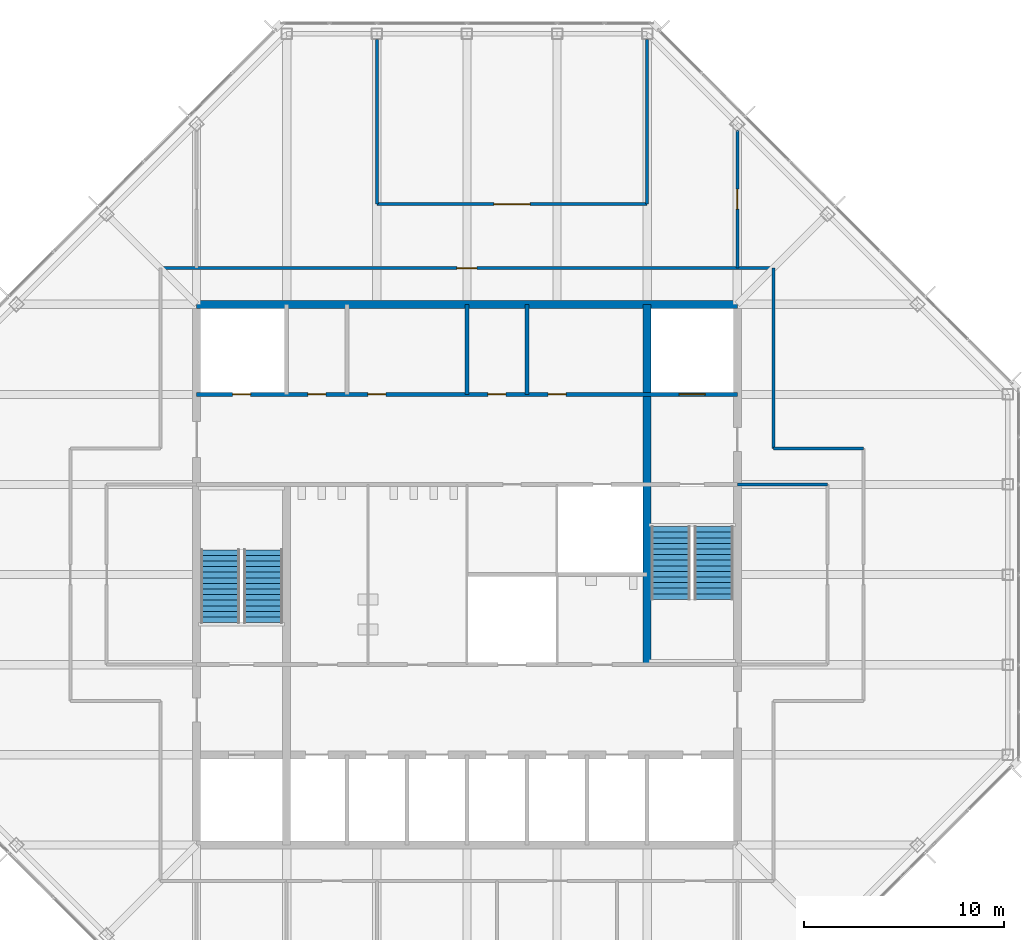
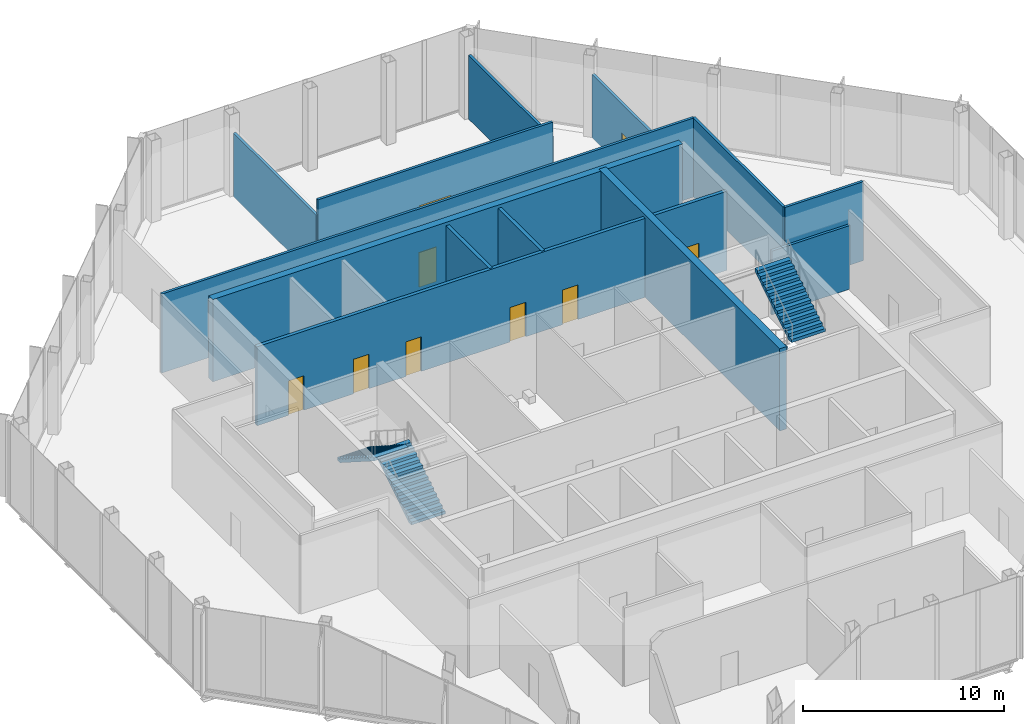
# One storey, part 9 of 11: 13 walls, 9 doors, 4 stair flights, 9 openings, 2 elements without a shape of their own.
"""IFC4 building model written with IfcOpenShell, lengths in metres."""

from ifc_helpers import new_model, si_unit, direction, frame, frame_2d, origin, place, context, subcontext, project, spatial, polyline, rectangle, outline, extrude, material, layer, layer_set, type_object, element, fill, aggregate, save


model = new_model("IFC4")

# Units and contexts
model_context = context("Model", 3, precision=1e-05, world=origin(), true_north=direction((0.0, 1.0)))
body_context = subcontext(model_context, "Body", "Model", "MODEL_VIEW")
ifc_project = project(units=[si_unit("LENGTHUNIT", "METRE"), si_unit("AREAUNIT", "SQUARE_METRE"), si_unit("VOLUMEUNIT", "CUBIC_METRE"), si_unit("PLANEANGLEUNIT", "RADIAN"), si_unit("MASSUNIT", "GRAM", prefix="KILO")], contexts=[model_context])

# Site, building, storey
site_placement = place(None, origin())
site = spatial("IfcSite", under=ifc_project, at=site_placement, CompositionType="ELEMENT")
building_placement = place(site_placement, origin())
building = spatial("IfcBuilding", under=site, at=building_placement, Name="Corais Broadcast Tower", CompositionType="ELEMENT")
storey_placement = place(building_placement, frame((0.0, 0.0, 315.10009765625)))
storey = spatial("IfcBuildingStorey", under=building, at=storey_placement, Name="L74", CompositionType="ELEMENT", Elevation=315.10009765625)

# Walls
ifc_material_1 = material(Name="Concrete C50/60", Category="concrete")
ifc_layer_1 = layer(ifc_material_1, 0.39990234375)
ifc_layer_set_1 = layer_set([ifc_layer_1], Name="Concrete C50/60")
wall_type_1 = type_object("IfcWallType", Name="Core wall 400", PredefinedType="SHEAR", material=ifc_layer_set_1)
wall_1_placement = place(storey_placement, frame((40.5, 40.5, 0.0), z_axis=(0.0, 0.0, 1.0), x_axis=(-1.0, 0.0, 0.0)))
element("IfcWall", 1, at=wall_1_placement, inside=storey, type_object=wall_type_1, Name="CR400 core wall N L74", PredefinedType="SHEAR", context=body_context, shape_type="SweptSolid", body=[
    extrude(rectangle(XDim=27.0, YDim=0.39990234375, at=frame_2d((13.5, 0.0))), origin(), (0.0, 0.0, 1.0), 5.0),
])
wall_2_placement = place(storey_placement, frame((36.0, 22.5, 0.0), z_axis=(0.0, 0.0, 1.0), x_axis=(0.0, 1.0, 0.0)))
element("IfcWall", 2, at=wall_2_placement, inside=storey, type_object=wall_type_1, Name="CR400 core wall X36B L74", PredefinedType="SHEAR", context=body_context, shape_type="SweptSolid", body=[
    extrude(rectangle(XDim=18.0, YDim=0.39990234375, at=frame_2d((9.0, 0.0))), origin(), (0.0, 0.0, 1.0), 5.0),
])

# Wall, openings, doors
ifc_material_2 = material(Name="Concrete blockwork class A, grouted, four-hour", Category="masonry")
ifc_layer_2 = layer(ifc_material_2, 0.199951171875)
ifc_layer_set_2 = layer_set([ifc_layer_2], Name="Concrete blockwork class A, grouted, four-hour")
wall_type_2 = type_object("IfcWallType", Name="Emergency lift shaft wall 200", PredefinedType="SOLIDWALL", material=ifc_layer_set_2)
wall_3_placement = place(storey_placement, frame((13.5, 36.0, 0.0), z_axis=(0.0, 0.0, 1.0), x_axis=(1.0, 0.0, 0.0)))
wall_3 = element("IfcWall", 3, at=wall_3_placement, inside=storey, type_object=wall_type_2, Name="LS3 core lobby wall Y36 L74", PredefinedType="SOLIDWALL", context=body_context, shape_type="SweptSolid", body=[
    extrude(rectangle(XDim=27.0, YDim=0.199951171875, at=frame_2d((13.5, 0.0))), origin(), (0.0, 0.0, 1.0), 4.7998046875),
])
opening_1_placement = place(wall_3_placement, frame((1.800048828125, 0.0, 0.0)))
opening_1 = element("IfcOpeningElement", 4, at=opening_1_placement, cuts=wall_3, Name="Opening RD1", PredefinedType="OPENING", context=body_context, shape_type="SweptSolid", body=[
    extrude(rectangle(XDim=0.89990234375, YDim=2.10009765625, at=frame_2d((0.449951171875, 1.050048828125))), frame((0.0, 0.10986328125, 0.0), z_axis=(0.0, -1.0, 0.0), x_axis=(1.0, 0.0, 0.0)), (0.0, 0.0, 1.0), 0.219970703125),
])
opening_2_placement = place(wall_3_placement, frame((5.550048828125, 0.0, 0.0)))
opening_2 = element("IfcOpeningElement", 5, at=opening_2_placement, cuts=wall_3, Name="Opening RD1", PredefinedType="OPENING", context=body_context, shape_type="SweptSolid", body=[
    extrude(rectangle(XDim=0.89990234375, YDim=2.10009765625, at=frame_2d((0.449951171875, 1.050048828125))), frame((0.0, 0.10986328125, 0.0), z_axis=(0.0, -1.0, 0.0), x_axis=(1.0, 0.0, 0.0)), (0.0, 0.0, 1.0), 0.219970703125),
])
opening_3_placement = place(wall_3_placement, frame((8.550048828125, 0.0, 0.0)))
opening_3 = element("IfcOpeningElement", 6, at=opening_3_placement, cuts=wall_3, Name="Opening RD1", PredefinedType="OPENING", context=body_context, shape_type="SweptSolid", body=[
    extrude(rectangle(XDim=0.89990234375, YDim=2.10009765625, at=frame_2d((0.449951171875, 1.050048828125))), frame((0.0, 0.10986328125, 0.0), z_axis=(0.0, -1.0, 0.0), x_axis=(1.0, 0.0, 0.0)), (0.0, 0.0, 1.0), 0.219970703125),
])
opening_4_placement = place(wall_3_placement, frame((14.550048828125, 0.0, 0.0)))
opening_4 = element("IfcOpeningElement", 7, at=opening_4_placement, cuts=wall_3, Name="Opening RD1", PredefinedType="OPENING", context=body_context, shape_type="SweptSolid", body=[
    extrude(rectangle(XDim=0.89990234375, YDim=2.10009765625, at=frame_2d((0.449951171875, 1.050048828125))), frame((0.0, 0.10986328125, 0.0), z_axis=(0.0, -1.0, 0.0), x_axis=(1.0, 0.0, 0.0)), (0.0, 0.0, 1.0), 0.219970703125),
])
opening_5_placement = place(wall_3_placement, frame((17.550048828125, 0.0, 0.0)))
opening_5 = element("IfcOpeningElement", 8, at=opening_5_placement, cuts=wall_3, Name="Opening RD1", PredefinedType="OPENING", context=body_context, shape_type="SweptSolid", body=[
    extrude(rectangle(XDim=0.89990234375, YDim=2.10009765625, at=frame_2d((0.449951171875, 1.050048828125))), frame((0.0, 0.10986328125, 0.0), z_axis=(0.0, -1.0, 0.0), x_axis=(1.0, 0.0, 0.0)), (0.0, 0.0, 1.0), 0.219970703125),
])
opening_6_placement = place(wall_3_placement, frame((24.10009765625, 0.0, 0.0)))
opening_6 = element("IfcOpeningElement", 9, at=opening_6_placement, cuts=wall_3, Name="Opening LD2", PredefinedType="OPENING", context=body_context, shape_type="SweptSolid", body=[
    extrude(rectangle(XDim=1.300048828125, YDim=2.199951171875, at=frame_2d((0.64990234375, 1.10009765625))), frame((0.0, 0.10986328125, 0.0), z_axis=(0.0, -1.0, 0.0), x_axis=(1.0, 0.0, 0.0)), (0.0, 0.0, 1.0), 0.219970703125),
])
ifc_material_3 = material(Name="Stainless steel lift door", Category="steel")
door_type_1 = type_object("IfcDoorType", Name="Lift landing door 1300x2200", OperationType="SLIDING_TO_LEFT", PredefinedType="DOOR", material=ifc_material_3)
door_1_placement = place(opening_6_placement, origin())
door_1 = element("IfcDoor", 10, at=door_1_placement, inside=storey, type_object=door_type_1, Name="LD2 FL2 landing door L74", OperationType="SLIDING_TO_LEFT", OverallHeight=2.199951171875, OverallWidth=1.300048828125, PredefinedType="DOOR", context=body_context, shape_type="SweptSolid", body=[
    extrude(rectangle(XDim=1.300048828125, YDim=2.199951171875, at=frame_2d((0.64990234375, 1.10009765625))), frame((0.0, 0.02490234375, 0.0), z_axis=(0.0, -1.0, 0.0), x_axis=(1.0, 0.0, 0.0)), (0.0, 0.0, 1.0), 0.050048828125),
])
fill(opening_6, door_1)
ifc_material_4 = material(Name="Steel fire door", Category="steel")
door_type_2 = type_object("IfcDoorType", Name="Riser door 900x2100", OperationType="SINGLE_SWING_LEFT", PredefinedType="DOOR", material=ifc_material_4)
door_2_placement = place(opening_1_placement, origin())
door_2 = element("IfcDoor", 11, at=door_2_placement, inside=storey, type_object=door_type_2, Name="RD1 riser door L74", OperationType="SINGLE_SWING_LEFT", OverallHeight=2.10009765625, OverallWidth=0.89990234375, PredefinedType="DOOR", context=body_context, shape_type="SweptSolid", body=[
    extrude(rectangle(XDim=0.89990234375, YDim=2.10009765625, at=frame_2d((0.449951171875, 1.050048828125))), frame((0.0, 0.02490234375, 0.0), z_axis=(0.0, -1.0, 0.0), x_axis=(1.0, 0.0, 0.0)), (0.0, 0.0, 1.0), 0.050048828125),
])
fill(opening_1, door_2)
door_3_placement = place(opening_2_placement, origin())
door_3 = element("IfcDoor", 12, at=door_3_placement, inside=storey, type_object=door_type_2, Name="RD1 stationery store door L74", OperationType="SINGLE_SWING_LEFT", OverallHeight=2.10009765625, OverallWidth=0.89990234375, PredefinedType="DOOR", context=body_context, shape_type="SweptSolid", body=[
    extrude(rectangle(XDim=0.89990234375, YDim=2.10009765625, at=frame_2d((0.449951171875, 1.050048828125))), frame((0.0, 0.02490234375, 0.0), z_axis=(0.0, -1.0, 0.0), x_axis=(1.0, 0.0, 0.0)), (0.0, 0.0, 1.0), 0.050048828125),
])
fill(opening_2, door_3)
door_4_placement = place(opening_3_placement, origin())
door_4 = element("IfcDoor", 13, at=door_4_placement, inside=storey, type_object=door_type_2, Name="RD1 av equipment room door L74", OperationType="SINGLE_SWING_LEFT", OverallHeight=2.10009765625, OverallWidth=0.89990234375, PredefinedType="DOOR", context=body_context, shape_type="SweptSolid", body=[
    extrude(rectangle(XDim=0.89990234375, YDim=2.10009765625, at=frame_2d((0.449951171875, 1.050048828125))), frame((0.0, 0.02490234375, 0.0), z_axis=(0.0, -1.0, 0.0), x_axis=(1.0, 0.0, 0.0)), (0.0, 0.0, 1.0), 0.050048828125),
])
fill(opening_3, door_4)
door_5_placement = place(opening_4_placement, origin())
door_5 = element("IfcDoor", 14, at=door_5_placement, inside=storey, type_object=door_type_2, Name="RD1 media store door L74", OperationType="SINGLE_SWING_RIGHT", OverallHeight=2.10009765625, OverallWidth=0.89990234375, PredefinedType="DOOR", context=body_context, shape_type="SweptSolid", body=[
    extrude(rectangle(XDim=0.89990234375, YDim=2.10009765625, at=frame_2d((0.449951171875, 1.050048828125))), frame((0.0, 0.02490234375, 0.0), z_axis=(0.0, -1.0, 0.0), x_axis=(1.0, 0.0, 0.0)), (0.0, 0.0, 1.0), 0.050048828125),
])
fill(opening_4, door_5)
door_6_placement = place(opening_5_placement, origin())
door_6 = element("IfcDoor", 15, at=door_6_placement, inside=storey, type_object=door_type_2, Name="RD1 tea point door L74", OperationType="SINGLE_SWING_RIGHT", OverallHeight=2.10009765625, OverallWidth=0.89990234375, PredefinedType="DOOR", context=body_context, shape_type="SweptSolid", body=[
    extrude(rectangle(XDim=0.89990234375, YDim=2.10009765625, at=frame_2d((0.449951171875, 1.050048828125))), frame((0.0, 0.02490234375, 0.0), z_axis=(0.0, -1.0, 0.0), x_axis=(1.0, 0.0, 0.0)), (0.0, 0.0, 1.0), 0.050048828125),
])
fill(opening_5, door_6)

# Wall, opening, door
ifc_material_5 = material(Name="Gypsum board on steel studs", Category="steel")
ifc_layer_3 = layer(ifc_material_5, 0.14990234375)
ifc_layer_set_3 = layer_set([ifc_layer_3], Name="Gypsum board on steel studs")
wall_type_3 = type_object("IfcWallType", Name="Partition 150", PredefinedType="PARTITIONING", material=ifc_layer_set_3)
wall_4_placement = place(storey_placement, frame((42.300048828125, 42.300048828125, 0.0), z_axis=(0.0, 0.0, 1.0), x_axis=(-1.0, 0.0, 0.0)))
wall_4 = element("IfcWall", 16, at=wall_4_placement, inside=storey, type_object=wall_type_3, Name="IW3 corridor wall L74", PredefinedType="PARTITIONING", context=body_context, shape_type="SweptSolid", body=[
    extrude(rectangle(XDim=30.60009765625, YDim=0.14990234375, at=frame_2d((15.300048828125, 0.0))), origin(), (0.0, 0.0, 1.0), 4.7998046875),
])
opening_7_placement = place(wall_4_placement, frame((14.800048828125, 0.0, 0.0)))
opening_7 = element("IfcOpeningElement", 17, at=opening_7_placement, cuts=wall_4, Name="Opening D1", PredefinedType="OPENING", context=body_context, shape_type="SweptSolid", body=[
    extrude(rectangle(XDim=1.0, YDim=2.10009765625, at=frame_2d((0.5, 1.050048828125))), frame((0.0, 0.0849609375, 0.0), z_axis=(0.0, -1.0, 0.0), x_axis=(1.0, 0.0, 0.0)), (0.0, 0.0, 1.0), 0.169921875),
])
ifc_material_6 = material(Name="Timber door", Category="wood")
door_type_3 = type_object("IfcDoorType", Name="Single door 1000x2100", OperationType="SINGLE_SWING_LEFT", PredefinedType="DOOR", material=ifc_material_6)
door_7_placement = place(opening_7_placement, origin())
door_7 = element("IfcDoor", 18, at=door_7_placement, inside=storey, type_object=door_type_3, Name="D1 workplace door L74", OperationType="SINGLE_SWING_LEFT", OverallHeight=2.10009765625, OverallWidth=1.0, PredefinedType="DOOR", context=body_context, shape_type="SweptSolid", body=[
    extrude(rectangle(XDim=1.0, YDim=2.10009765625, at=frame_2d((0.5, 1.050048828125))), frame((0.0, 0.02490234375, 0.0), z_axis=(0.0, -1.0, 0.0), x_axis=(1.0, 0.0, 0.0)), (0.0, 0.0, 1.0), 0.050048828125),
])
fill(opening_7, door_7)

# Walls
wall_5_placement = place(storey_placement, frame((42.300048828125, 33.300048828125, 0.0), z_axis=(0.0, 0.0, 1.0), x_axis=(0.0, 1.0, 0.0)))
element("IfcWall", 19, at=wall_5_placement, inside=storey, type_object=wall_type_3, Name="IW3 corridor wall L74", PredefinedType="PARTITIONING", context=body_context, shape_type="SweptSolid", body=[
    extrude(rectangle(XDim=9.0, YDim=0.14990234375, at=frame_2d((4.5, 0.0))), origin(), (0.0, 0.0, 1.0), 4.7998046875),
])
wall_6_placement = place(storey_placement, frame((46.800048828125, 33.300048828125, 0.0), z_axis=(0.0, 0.0, 1.0), x_axis=(-1.0, 0.0, 0.0)))
element("IfcWall", 20, at=wall_6_placement, inside=storey, type_object=wall_type_3, Name="IW3 corridor wall L74", PredefinedType="PARTITIONING", context=body_context, shape_type="SweptSolid", body=[
    extrude(rectangle(XDim=4.5, YDim=0.14990234375, at=frame_2d((2.25, 0.0))), origin(), (0.0, 0.0, 1.0), 4.7998046875),
])

# Wall, opening, door
wall_7_placement = place(storey_placement, frame((22.5, 45.5, 0.0), z_axis=(0.0, 0.0, 1.0), x_axis=(1.0, 0.0, 0.0)))
wall_7 = element("IfcWall", 21, at=wall_7_placement, inside=storey, type_object=wall_type_3, Name="IW3 partition L74", PredefinedType="PARTITIONING", context=body_context, shape_type="SweptSolid", body=[
    extrude(rectangle(XDim=13.5, YDim=0.14990234375, at=frame_2d((6.75, 0.0))), origin(), (0.0, 0.0, 1.0), 4.7998046875),
])
opening_8_placement = place(wall_7_placement, frame((5.85009765625, 0.0, 0.0)))
opening_8 = element("IfcOpeningElement", 22, at=opening_8_placement, cuts=wall_7, Name="Opening D2", PredefinedType="OPENING", context=body_context, shape_type="SweptSolid", body=[
    extrude(rectangle(XDim=1.800048828125, YDim=2.39990234375, at=frame_2d((0.89990234375, 1.199951171875))), frame((0.0, 0.0849609375, 0.0), z_axis=(0.0, -1.0, 0.0), x_axis=(1.0, 0.0, 0.0)), (0.0, 0.0, 1.0), 0.169921875),
])
ifc_material_7 = material(Name="Timber door", Category="wood")
door_type_4 = type_object("IfcDoorType", Name="Double door 1800x2400", OperationType="DOUBLE_DOOR_SINGLE_SWING", PredefinedType="DOOR", material=ifc_material_7)
door_8_placement = place(opening_8_placement, origin())
door_8 = element("IfcDoor", 23, at=door_8_placement, inside=storey, type_object=door_type_4, Name="D2 Event hall door", OperationType="SINGLE_SWING_LEFT", OverallHeight=2.39990234375, OverallWidth=1.800048828125, PredefinedType="DOOR", context=body_context, shape_type="SweptSolid", body=[
    extrude(rectangle(XDim=1.800048828125, YDim=2.39990234375, at=frame_2d((0.89990234375, 1.199951171875))), frame((0.0, 0.02490234375, 0.0), z_axis=(0.0, -1.0, 0.0), x_axis=(1.0, 0.0, 0.0)), (0.0, 0.0, 1.0), 0.050048828125),
])
fill(opening_8, door_8)

# Walls
for number, where, z_axis, x_axis, name in (
    (24, (36.0, 45.5, 0.0), (0.0, 0.0, 1.0), (0.0, 1.0, 0.0), "IW3 partition L74"),
    (25, (22.5, 53.715087890625, 0.0), (0.0, 0.0, 1.0), (0.0, -1.0, 0.0), "IW3 partition L74"),
):
    element("IfcWall", number, at=place(storey_placement, frame(where, z_axis=z_axis, x_axis=x_axis)), inside=storey, type_object=wall_type_3, Name=name, PredefinedType="PARTITIONING", context=body_context, shape_type="SweptSolid", body=[
        extrude(rectangle(XDim=8.215087890625, YDim=0.14990234375, at=frame_2d((4.107421875, 0.0))), origin(), (0.0, 0.0, 1.0), 3.867919921875),
    ])
wall_8_placement = place(storey_placement, frame((45.0, 31.5, 0.0), z_axis=(0.0, 0.0, 1.0), x_axis=(-1.0, 0.0, 0.0)))
element("IfcWall", 26, at=wall_8_placement, inside=storey, type_object=wall_type_3, Name="IW3 partition L74", PredefinedType="PARTITIONING", context=body_context, shape_type="SweptSolid", body=[
    extrude(rectangle(XDim=4.5, YDim=0.14990234375, at=frame_2d((2.25, 0.0))), origin(), (0.0, 0.0, 1.0), 3.867919921875),
])

# Wall, opening, door
wall_9_placement = place(storey_placement, frame((40.5, 49.205078125, 0.0), z_axis=(0.0, 0.0, 1.0), x_axis=(0.0, -1.0, 0.0)))
wall_9 = element("IfcWall", 27, at=wall_9_placement, inside=storey, type_object=wall_type_3, Name="IW3 partition L74", PredefinedType="PARTITIONING", context=body_context, shape_type="SweptSolid", body=[
    extrude(rectangle(XDim=6.905029296875, YDim=0.14990234375, at=frame_2d((3.45263671875, 0.0))), origin(), (0.0, 0.0, 1.0), 3.867919921875),
])
opening_9_placement = place(wall_9_placement, frame((2.952392578125, 0.0, 0.0)))
opening_9 = element("IfcOpeningElement", 28, at=opening_9_placement, cuts=wall_9, Name="Opening D1", PredefinedType="OPENING", context=body_context, shape_type="SweptSolid", body=[
    extrude(rectangle(XDim=1.0, YDim=2.10009765625, at=frame_2d((0.5, 1.050048828125))), frame((0.0, 0.0849609375, 0.0), z_axis=(0.0, -1.0, 0.0), x_axis=(1.0, 0.0, 0.0)), (0.0, 0.0, 1.0), 0.169921875),
])
door_9_placement = place(opening_9_placement, origin())
door_9 = element("IfcDoor", 29, at=door_9_placement, inside=storey, type_object=door_type_3, Name="D1 team room door L74", OperationType="SINGLE_SWING_LEFT", OverallHeight=2.10009765625, OverallWidth=1.0, PredefinedType="DOOR", context=body_context, shape_type="SweptSolid", body=[
    extrude(rectangle(XDim=1.0, YDim=2.10009765625, at=frame_2d((0.5, 1.050048828125))), frame((0.0, 0.02490234375, 0.0), z_axis=(0.0, -1.0, 0.0), x_axis=(1.0, 0.0, 0.0)), (0.0, 0.0, 1.0), 0.050048828125),
])
fill(opening_9, door_9)

# Walls
ifc_material_8 = material(Name="Concrete blockwork class A, grouted, two-hour", Category="masonry")
ifc_layer_4 = layer(ifc_material_8, 0.199951171875)
ifc_layer_set_4 = layer_set([ifc_layer_4], Name="Concrete blockwork class A, grouted, two-hour")
wall_type_4 = type_object("IfcWallType", Name="Shaft wall 200", PredefinedType="PARTITIONING", material=ifc_layer_set_4)
for number, where, z_axis, x_axis, name in (
    (30, (27.0, 36.0, 0.0), (0.0, 0.0, 1.0), (0.0, 1.0, 0.0), "IW1 shaft wall L74"),
    (31, (30.0, 36.0, 0.0), (0.0, 0.0, 1.0), (0.0, 1.0, 0.0), "IW1 shaft wall L74"),
):
    element("IfcWall", number, at=place(storey_placement, frame(where, z_axis=z_axis, x_axis=x_axis)), inside=storey, type_object=wall_type_4, Name=name, PredefinedType="PARTITIONING", context=body_context, shape_type="SweptSolid", body=[
        extrude(rectangle(XDim=4.5, YDim=0.199951171875, at=frame_2d((2.25, 0.0))), origin(), (0.0, 0.0, 1.0), 4.7998046875),
    ])

# Stair, stair flights
ifc_material_9 = material(Name="Concrete C30/37", Category="concrete")
stair_type = type_object("IfcStairType", Name="Half-turn stair 5000", PredefinedType="HALF_TURN_STAIR", material=ifc_material_9)
stair_1_placement = place(storey_placement, origin())
stair_1 = element("IfcStair", 32, at=stair_1_placement, inside=storey, type_object=stair_type, Name="Stair A L74", PredefinedType="HALF_TURN_STAIR")
ifc_material_10 = material(Name="Concrete C30/37", Category="concrete")
stair_flight_type = type_object("IfcStairFlightType", Name="Stair flight 5000", PredefinedType="STRAIGHT", material=ifc_material_10)
stair_flight_1_placement = place(storey_placement, frame((16.824951171875, 24.60009765625, 0.0), z_axis=(0.0, 0.0, 1.0), x_axis=(0.0, 1.0, 0.0)))
stair_flight_1 = element("IfcStairFlight", 33, at=stair_flight_1_placement, type_object=stair_flight_type, Name="STA flight 1", NumberOfRisers=14, NumberOfTreads=13, PredefinedType="STRAIGHT", RiserHeight=0.178571429, TreadLength=0.28, context=body_context, shape_type="SweptSolid", body=[
    extrude(outline(polyline([(0.0, 0.0), (0.0, 0.178466796875), (0.280029296875, 0.178466796875), (0.280029296875, 0.357177734375), (0.56005859375, 0.357177734375), (0.56005859375, 0.53564453125), (0.840087890625, 0.53564453125), (0.840087890625, 0.71435546875), (1.1201171875, 0.71435546875), (1.1201171875, 0.892822265625), (1.39990234375, 0.892822265625), (1.39990234375, 1.071533203125), (1.679931640625, 1.071533203125), (1.679931640625, 1.25), (1.9599609375, 1.25), (1.9599609375, 1.428466796875), (2.239990234375, 1.428466796875), (2.239990234375, 1.607177734375), (2.52001953125, 1.607177734375), (2.52001953125, 1.78564453125), (2.800048828125, 1.78564453125), (2.800048828125, 1.96435546875), (3.080078125, 1.96435546875), (3.080078125, 2.142822265625), (3.360107421875, 2.142822265625), (3.360107421875, 2.321533203125), (3.639892578125, 2.321533203125), (3.639892578125, 2.5), (3.639892578125, 2.1435546875), (0.27880859375, 0.0), (0.0, 0.0)])), frame((0.0, 0.97509765625, 0.0), z_axis=(0.0, -1.0, 0.0), x_axis=(1.0, 0.0, 0.0)), (0.0, 0.0, 1.0), 1.949951171875),
])
stair_flight_2_placement = place(storey_placement, frame((14.675048828125, 28.239990234375, 2.5), z_axis=(0.0, 0.0, 1.0), x_axis=(0.0, -1.0, 0.0)))
stair_flight_2 = element("IfcStairFlight", 34, at=stair_flight_2_placement, type_object=stair_flight_type, Name="STA flight 2", NumberOfRisers=14, NumberOfTreads=13, PredefinedType="STRAIGHT", RiserHeight=0.178571429, TreadLength=0.28, context=body_context, shape_type="SweptSolid", body=[
    extrude(outline(polyline([(0.0, 0.0), (0.0, 0.178466796875), (0.280029296875, 0.178466796875), (0.280029296875, 0.357177734375), (0.56005859375, 0.357177734375), (0.56005859375, 0.53564453125), (0.840087890625, 0.53564453125), (0.840087890625, 0.71435546875), (1.1201171875, 0.71435546875), (1.1201171875, 0.892822265625), (1.39990234375, 0.892822265625), (1.39990234375, 1.071533203125), (1.679931640625, 1.071533203125), (1.679931640625, 1.25), (1.9599609375, 1.25), (1.9599609375, 1.428466796875), (2.239990234375, 1.428466796875), (2.239990234375, 1.607177734375), (2.52001953125, 1.607177734375), (2.52001953125, 1.78564453125), (2.800048828125, 1.78564453125), (2.800048828125, 1.96435546875), (3.080078125, 1.96435546875), (3.080078125, 2.142822265625), (3.360107421875, 2.142822265625), (3.360107421875, 2.321533203125), (3.639892578125, 2.321533203125), (3.639892578125, 2.5), (3.639892578125, 2.1435546875), (0.27880859375, 0.0), (0.0, 0.0)])), frame((0.0, 0.97509765625, 0.0), z_axis=(0.0, -1.0, 0.0), x_axis=(1.0, 0.0, 0.0)), (0.0, 0.0, 1.0), 1.949951171875),
])
aggregate(stair_1, [stair_flight_1, stair_flight_2])

stair_2_placement = place(storey_placement, origin())
stair_2 = element("IfcStair", 35, at=stair_2_placement, inside=storey, type_object=stair_type, Name="Stair B L74", PredefinedType="HALF_TURN_STAIR")
stair_flight_3_placement = place(storey_placement, frame((37.175048828125, 29.39990234375, 0.0), z_axis=(0.0, 0.0, 1.0), x_axis=(0.0, -1.0, 0.0)))
stair_flight_3 = element("IfcStairFlight", 36, at=stair_flight_3_placement, type_object=stair_flight_type, Name="STB flight 1", NumberOfRisers=14, NumberOfTreads=13, PredefinedType="STRAIGHT", RiserHeight=0.178571429, TreadLength=0.28, context=body_context, shape_type="SweptSolid", body=[
    extrude(outline(polyline([(0.0, 0.0), (0.0, 0.178466796875), (0.280029296875, 0.178466796875), (0.280029296875, 0.357177734375), (0.56005859375, 0.357177734375), (0.56005859375, 0.53564453125), (0.840087890625, 0.53564453125), (0.840087890625, 0.71435546875), (1.1201171875, 0.71435546875), (1.1201171875, 0.892822265625), (1.39990234375, 0.892822265625), (1.39990234375, 1.071533203125), (1.679931640625, 1.071533203125), (1.679931640625, 1.25), (1.9599609375, 1.25), (1.9599609375, 1.428466796875), (2.239990234375, 1.428466796875), (2.239990234375, 1.607177734375), (2.52001953125, 1.607177734375), (2.52001953125, 1.78564453125), (2.800048828125, 1.78564453125), (2.800048828125, 1.96435546875), (3.080078125, 1.96435546875), (3.080078125, 2.142822265625), (3.360107421875, 2.142822265625), (3.360107421875, 2.321533203125), (3.639892578125, 2.321533203125), (3.639892578125, 2.5), (3.639892578125, 2.1435546875), (0.27880859375, 0.0), (0.0, 0.0)])), frame((0.0, 0.97509765625, 0.0), z_axis=(0.0, -1.0, 0.0), x_axis=(1.0, 0.0, 0.0)), (0.0, 0.0, 1.0), 1.949951171875),
])
stair_flight_4_placement = place(storey_placement, frame((39.324951171875, 25.760009765625, 2.5), z_axis=(0.0, 0.0, 1.0), x_axis=(0.0, 1.0, 0.0)))
stair_flight_4 = element("IfcStairFlight", 37, at=stair_flight_4_placement, type_object=stair_flight_type, Name="STB flight 2", NumberOfRisers=14, NumberOfTreads=13, PredefinedType="STRAIGHT", RiserHeight=0.178571429, TreadLength=0.28, context=body_context, shape_type="SweptSolid", body=[
    extrude(outline(polyline([(0.0, 0.0), (0.0, 0.178466796875), (0.280029296875, 0.178466796875), (0.280029296875, 0.357177734375), (0.56005859375, 0.357177734375), (0.56005859375, 0.53564453125), (0.840087890625, 0.53564453125), (0.840087890625, 0.71435546875), (1.1201171875, 0.71435546875), (1.1201171875, 0.892822265625), (1.39990234375, 0.892822265625), (1.39990234375, 1.071533203125), (1.679931640625, 1.071533203125), (1.679931640625, 1.25), (1.9599609375, 1.25), (1.9599609375, 1.428466796875), (2.239990234375, 1.428466796875), (2.239990234375, 1.607177734375), (2.52001953125, 1.607177734375), (2.52001953125, 1.78564453125), (2.800048828125, 1.78564453125), (2.800048828125, 1.96435546875), (3.080078125, 1.96435546875), (3.080078125, 2.142822265625), (3.360107421875, 2.142822265625), (3.360107421875, 2.321533203125), (3.639892578125, 2.321533203125), (3.639892578125, 2.5), (3.639892578125, 2.1435546875), (0.27880859375, 0.0), (0.0, 0.0)])), frame((0.0, 0.97509765625, 0.0), z_axis=(0.0, -1.0, 0.0), x_axis=(1.0, 0.0, 0.0)), (0.0, 0.0, 1.0), 1.949951171875),
])
aggregate(stair_2, [stair_flight_3, stair_flight_4])

save(model, "model.ifc")
